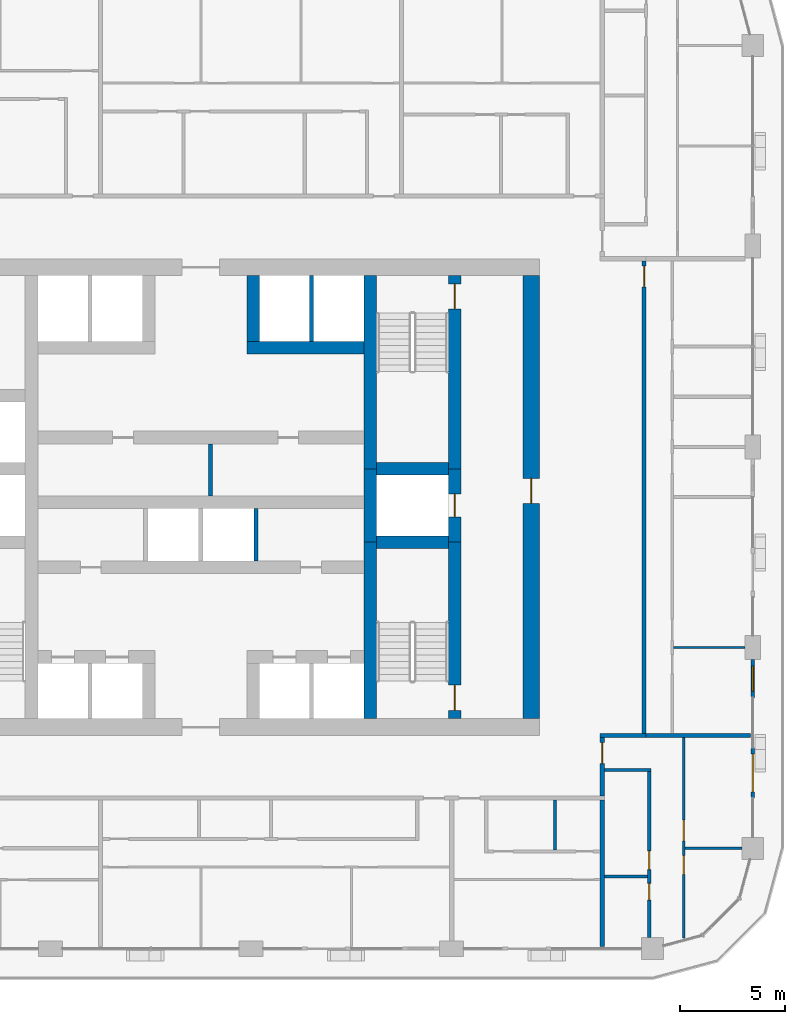
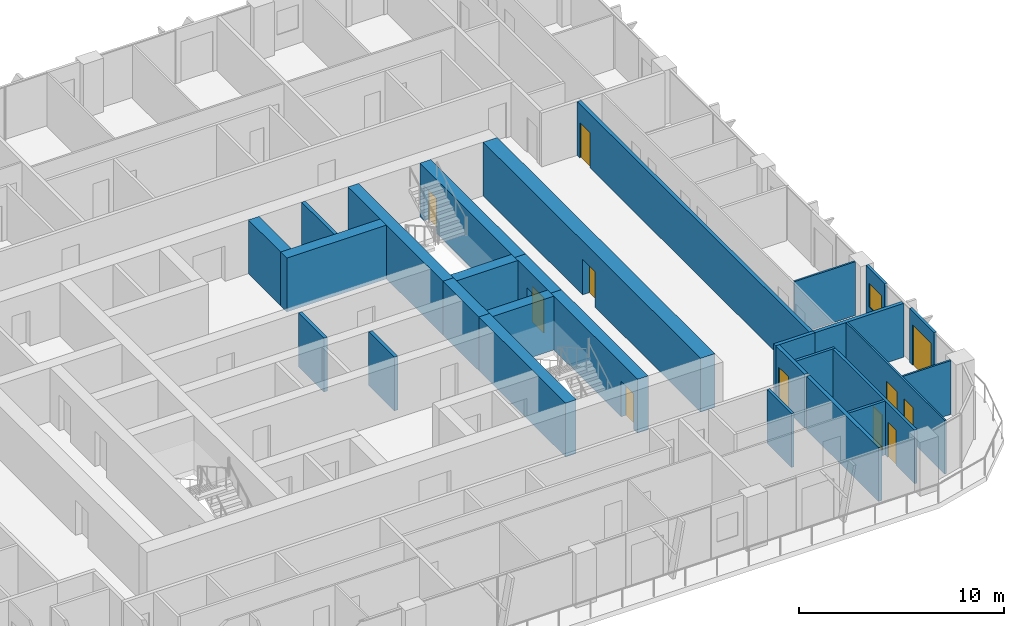
# One storey, part 12 of 22: 28 walls, 11 doors, 1 window, 12 openings.
"""IFC4 building model written with IfcOpenShell, lengths in metres."""

from ifc_helpers import new_model, si_unit, direction, frame, frame_2d, origin, place, context, subcontext, project, spatial, rectangle, extrude, material, layer, layer_set, type_object, element, fill, save


model = new_model("IFC4")

# Units and contexts
model_context = context("Model", 3, precision=1e-05, world=origin(), true_north=direction((0.0, 1.0)))
body_context = subcontext(model_context, "Body", "Model", "MODEL_VIEW")
ifc_project = project(units=[si_unit("LENGTHUNIT", "METRE"), si_unit("AREAUNIT", "SQUARE_METRE"), si_unit("VOLUMEUNIT", "CUBIC_METRE"), si_unit("PLANEANGLEUNIT", "RADIAN"), si_unit("MASSUNIT", "GRAM", prefix="KILO")], contexts=[model_context])

# Site, building, storey
site_placement = place(None, origin())
site = spatial("IfcSite", under=ifc_project, at=site_placement, CompositionType="ELEMENT")
building_placement = place(site_placement, origin())
building = spatial("IfcBuilding", under=site, at=building_placement, Name="Madar Terraces", CompositionType="ELEMENT")
storey_placement = place(building_placement, frame((0.0, 0.0, 119.10009765625)))
storey = spatial("IfcBuildingStorey", under=building, at=storey_placement, Name="L30", CompositionType="ELEMENT", Elevation=119.10009765625)

# Walls
ifc_material_1 = material(Name="Concrete C70/85", Category="concrete")
ifc_layer_1 = layer(ifc_material_1, 0.60009765625)
ifc_layer_set_1 = layer_set([ifc_layer_1], Name="Concrete C70/85 (CIW3 RC wall 600)")
wall_type_1 = type_object("IfcWallType", Name="CIW3 RC wall 600", PredefinedType="SHEAR", material=ifc_layer_set_1)
wall_1_placement = place(storey_placement, frame((39.300048828125, 15.800048828125, 0.0), z_axis=(0.0, 0.0, 1.0), x_axis=(0.0, 1.0, 0.0)))
element("IfcWall", 1, at=wall_1_placement, inside=storey, type_object=wall_type_1, Name="CORE SHAFT WALL", PredefinedType="SHEAR", context=body_context, shape_type="SweptSolid", body=[
    extrude(rectangle(XDim=8.449951171875, YDim=0.60009765625, at=frame_2d((4.22509765625, 0.0))), origin(), (0.0, 0.0, 1.0), 3.199951171875),
])
wall_2_placement = place(storey_placement, frame((39.300048828125, 24.25, 0.0), z_axis=(0.0, 0.0, 1.0), x_axis=(0.0, 1.0, 0.0)))
element("IfcWall", 2, at=wall_2_placement, inside=storey, type_object=wall_type_1, Name="CORE SHAFT WALL", PredefinedType="SHEAR", context=body_context, shape_type="SweptSolid", body=[
    extrude(rectangle(XDim=3.5, YDim=0.60009765625, at=frame_2d((1.75, 0.0))), origin(), (0.0, 0.0, 1.0), 3.199951171875),
])
wall_3_placement = place(storey_placement, frame((39.300048828125, 27.75, 0.0), z_axis=(0.0, 0.0, 1.0), x_axis=(0.0, 1.0, 0.0)))
element("IfcWall", 3, at=wall_3_placement, inside=storey, type_object=wall_type_1, Name="CORE SHAFT WALL", PredefinedType="SHEAR", context=body_context, shape_type="SweptSolid", body=[
    extrude(rectangle(XDim=9.25, YDim=0.60009765625, at=frame_2d((4.625, 0.0))), origin(), (0.0, 0.0, 1.0), 3.199951171875),
])

# Wall, opening, door
wall_4_placement = place(storey_placement, frame((43.35009765625, 15.800048828125, 0.0), z_axis=(0.0, 0.0, 1.0), x_axis=(0.0, 1.0, 0.0)))
wall_4 = element("IfcWall", 4, at=wall_4_placement, inside=storey, type_object=wall_type_1, Name="CORE SHAFT WALL", PredefinedType="SHEAR", context=body_context, shape_type="SweptSolid", body=[
    extrude(rectangle(XDim=8.449951171875, YDim=0.60009765625, at=frame_2d((4.22509765625, 0.0))), origin(), (0.0, 0.0, 1.0), 3.199951171875),
])
opening_1_placement = place(wall_4_placement, frame((0.39990234375, 0.0, 0.0)))
opening_1 = element("IfcOpeningElement", 5, at=opening_1_placement, cuts=wall_4, Name="Opening SD1", PredefinedType="OPENING", context=body_context, shape_type="SweptSolid", body=[
    extrude(rectangle(XDim=1.199951171875, YDim=2.10009765625, at=frame_2d((0.60009765625, 1.050048828125))), frame((0.0, 0.31005859375, 0.0), z_axis=(0.0, -1.0, 0.0), x_axis=(1.0, 0.0, 0.0)), (0.0, 0.0, 1.0), 0.6201171875),
])
ifc_material_2 = material(Name="Steel door leaf", Category="steel")
door_type_1 = type_object("IfcDoorType", Name="Stair door 1200 x 2100", OperationType="NOTDEFINED", PredefinedType="DOOR", material=ifc_material_2)
door_1_placement = place(opening_1_placement, origin())
door_1 = element("IfcDoor", 6, at=door_1_placement, inside=storey, type_object=door_type_1, Name="STAIR DOOR", OperationType="SINGLE_SWING_LEFT", OverallHeight=2.10009765625, OverallWidth=1.199951171875, PredefinedType="DOOR", context=body_context, shape_type="SweptSolid", body=[
    extrude(rectangle(XDim=1.199951171875, YDim=2.10009765625, at=frame_2d((0.60009765625, 1.050048828125))), frame((0.0, 0.02490234375, 0.0), z_axis=(0.0, -1.0, 0.0), x_axis=(1.0, 0.0, 0.0)), (0.0, 0.0, 1.0), 0.050048828125),
])
fill(opening_1, door_1)

wall_5_placement = place(storey_placement, frame((43.35009765625, 24.25, 0.0), z_axis=(0.0, 0.0, 1.0), x_axis=(0.0, 1.0, 0.0)))
wall_5 = element("IfcWall", 7, at=wall_5_placement, inside=storey, type_object=wall_type_1, Name="CORE SHAFT WALL", PredefinedType="SHEAR", context=body_context, shape_type="SweptSolid", body=[
    extrude(rectangle(XDim=3.5, YDim=0.60009765625, at=frame_2d((1.75, 0.0))), origin(), (0.0, 0.0, 1.0), 3.199951171875),
])
opening_2_placement = place(wall_5_placement, frame((1.199951171875, 0.0, 0.0)))
opening_2 = element("IfcOpeningElement", 8, at=opening_2_placement, cuts=wall_5, Name="Opening LD", PredefinedType="OPENING", context=body_context, shape_type="SweptSolid", body=[
    extrude(rectangle(XDim=1.10009765625, YDim=2.10009765625, at=frame_2d((0.550048828125, 1.050048828125))), frame((0.0, 0.31005859375, 0.0), z_axis=(0.0, -1.0, 0.0), x_axis=(1.0, 0.0, 0.0)), (0.0, 0.0, 1.0), 0.6201171875),
])
ifc_material_3 = material(Name="Stainless steel panel", Category="steel")
door_type_2 = type_object("IfcDoorType", Name="Lift landing door 1100 x 2100", OperationType="DOUBLE_DOOR_SLIDING", PredefinedType="DOOR", material=ifc_material_3)
door_2_placement = place(opening_2_placement, origin())
door_2 = element("IfcDoor", 9, at=door_2_placement, inside=storey, type_object=door_type_2, Name="LIFT LANDING DOOR", OperationType="DOUBLE_DOOR_SLIDING", OverallHeight=2.10009765625, OverallWidth=1.10009765625, PredefinedType="DOOR", context=body_context, shape_type="SweptSolid", body=[
    extrude(rectangle(XDim=1.10009765625, YDim=2.10009765625, at=frame_2d((0.550048828125, 1.050048828125))), frame((0.0, 0.02490234375, 0.0), z_axis=(0.0, -1.0, 0.0), x_axis=(1.0, 0.0, 0.0)), (0.0, 0.0, 1.0), 0.050048828125),
])
fill(opening_2, door_2)

wall_6_placement = place(storey_placement, frame((43.35009765625, 27.75, 0.0), z_axis=(0.0, 0.0, 1.0), x_axis=(0.0, 1.0, 0.0)))
wall_6 = element("IfcWall", 10, at=wall_6_placement, inside=storey, type_object=wall_type_1, Name="CORE SHAFT WALL", PredefinedType="SHEAR", context=body_context, shape_type="SweptSolid", body=[
    extrude(rectangle(XDim=9.25, YDim=0.60009765625, at=frame_2d((4.625, 0.0))), origin(), (0.0, 0.0, 1.0), 3.199951171875),
])
opening_3_placement = place(wall_6_placement, frame((7.64990234375, 0.0, 0.0)))
opening_3 = element("IfcOpeningElement", 11, at=opening_3_placement, cuts=wall_6, Name="Opening SD1", PredefinedType="OPENING", context=body_context, shape_type="SweptSolid", body=[
    extrude(rectangle(XDim=1.199951171875, YDim=2.10009765625, at=frame_2d((0.60009765625, 1.050048828125))), frame((0.0, 0.31005859375, 0.0), z_axis=(0.0, -1.0, 0.0), x_axis=(1.0, 0.0, 0.0)), (0.0, 0.0, 1.0), 0.6201171875),
])
door_3_placement = place(opening_3_placement, origin())
door_3 = element("IfcDoor", 12, at=door_3_placement, inside=storey, type_object=door_type_1, Name="STAIR DOOR", OperationType="SINGLE_SWING_RIGHT", OverallHeight=2.10009765625, OverallWidth=1.199951171875, PredefinedType="DOOR", context=body_context, shape_type="SweptSolid", body=[
    extrude(rectangle(XDim=1.199951171875, YDim=2.10009765625, at=frame_2d((0.60009765625, 1.050048828125))), frame((0.0, 0.02490234375, 0.0), z_axis=(0.0, -1.0, 0.0), x_axis=(1.0, 0.0, 0.0)), (0.0, 0.0, 1.0), 0.050048828125),
])
fill(opening_3, door_3)

# Walls
for number, where, z_axis, x_axis, name in (
    (13, (39.60009765625, 24.25, 0.0), (0.0, 0.0, 1.0), (1.0, 0.0, 0.0), "CORE SHAFT WALL"),
    (14, (39.60009765625, 27.75, 0.0), (0.0, 0.0, 1.0), (1.0, 0.0, 0.0), "CORE SHAFT WALL"),
):
    element("IfcWall", number, at=place(storey_placement, frame(where, z_axis=z_axis, x_axis=x_axis)), inside=storey, type_object=wall_type_1, Name=name, PredefinedType="SHEAR", context=body_context, shape_type="SweptSolid", body=[
        extrude(rectangle(XDim=3.449951171875, YDim=0.60009765625, at=frame_2d((1.72509765625, 0.0))), origin(), (0.0, 0.0, 1.0), 3.199951171875),
    ])
wall_7_placement = place(storey_placement, frame((33.39990234375, 33.550048828125, 0.0), z_axis=(0.0, 0.0, 1.0), x_axis=(1.0, 0.0, 0.0)))
element("IfcWall", 15, at=wall_7_placement, inside=storey, type_object=wall_type_1, Name="CORE SHAFT WALL", PredefinedType="SHEAR", context=body_context, shape_type="SweptSolid", body=[
    extrude(rectangle(XDim=5.60009765625, YDim=0.60009765625, at=frame_2d((2.800048828125, 0.0))), origin(), (0.0, 0.0, 1.0), 3.199951171875),
])
wall_8_placement = place(storey_placement, frame((33.699951171875, 33.85009765625, 0.0), z_axis=(0.0, 0.0, 1.0), x_axis=(0.0, 1.0, 0.0)))
element("IfcWall", 16, at=wall_8_placement, inside=storey, type_object=wall_type_1, Name="CORE SHAFT WALL", PredefinedType="SHEAR", context=body_context, shape_type="SweptSolid", body=[
    extrude(rectangle(XDim=3.14990234375, YDim=0.60009765625, at=frame_2d((1.574951171875, 0.0))), origin(), (0.0, 0.0, 1.0), 3.199951171875),
])

# Wall, opening, door
ifc_material_4 = material(Name="Concrete C70/85", Category="concrete")
ifc_layer_2 = layer(ifc_material_4, 0.800048828125)
ifc_layer_set_2 = layer_set([ifc_layer_2], Name="Concrete C70/85 (CRW3 RC wall 800)")
wall_type_2 = type_object("IfcWallType", Name="CRW3 RC wall 800", PredefinedType="SHEAR", material=ifc_layer_set_2)
wall_9_placement = place(storey_placement, frame((47.0, 15.800048828125, 0.0), z_axis=(0.0, 0.0, 1.0), x_axis=(0.0, 1.0, 0.0)))
wall_9 = element("IfcWall", 17, at=wall_9_placement, inside=storey, type_object=wall_type_2, Name="CORE OUTER WALL", PredefinedType="SHEAR", context=body_context, shape_type="SweptSolid", body=[
    extrude(rectangle(XDim=21.199951171875, YDim=0.800048828125, at=frame_2d((10.60009765625, 0.0))), origin(), (0.0, 0.0, 1.0), 3.199951171875),
])
opening_4_placement = place(wall_9_placement, frame((10.300048828125, 0.0, 0.0)))
opening_4 = element("IfcOpeningElement", 18, at=opening_4_placement, cuts=wall_9, Name="Opening SD1", PredefinedType="OPENING", context=body_context, shape_type="SweptSolid", body=[
    extrude(rectangle(XDim=1.199951171875, YDim=2.10009765625, at=frame_2d((0.60009765625, 1.050048828125))), frame((0.0, 0.409912109375, 0.0), z_axis=(0.0, -1.0, 0.0), x_axis=(1.0, 0.0, 0.0)), (0.0, 0.0, 1.0), 0.820068359375),
])
door_4_placement = place(opening_4_placement, origin())
door_4 = element("IfcDoor", 19, at=door_4_placement, inside=storey, type_object=door_type_1, Name="STAIR DOOR", OperationType="SINGLE_SWING_RIGHT", OverallHeight=2.10009765625, OverallWidth=1.199951171875, PredefinedType="DOOR", context=body_context, shape_type="SweptSolid", body=[
    extrude(rectangle(XDim=1.199951171875, YDim=2.10009765625, at=frame_2d((0.60009765625, 1.050048828125))), frame((0.0, 0.02490234375, 0.0), z_axis=(0.0, -1.0, 0.0), x_axis=(1.0, 0.0, 0.0)), (0.0, 0.0, 1.0), 0.050048828125),
])
fill(opening_4, door_4)

# Walls
ifc_material_5 = material(Name="Masonry blockwork", Category="masonry")
ifc_layer_3 = layer(ifc_material_5, 0.199951171875)
ifc_layer_set_3 = layer_set([ifc_layer_3], Name="Core partition 200 blockwork")
wall_type_3 = type_object("IfcWallType", Name="Core partition 200 blockwork", PredefinedType="PARTITIONING", material=ifc_layer_set_3)
wall_10_placement = place(storey_placement, frame((31.66796875, 26.449951171875, 0.0), z_axis=(0.0, 0.0, 1.0), x_axis=(0.0, 1.0, 0.0)))
element("IfcWall", 20, at=wall_10_placement, inside=storey, type_object=wall_type_3, Name="SERVICE ROOM PARTITION", PredefinedType="PARTITIONING", context=body_context, shape_type="SweptSolid", body=[
    extrude(rectangle(XDim=2.5, YDim=0.199951171875, at=frame_2d((1.25, 0.0))), origin(), (0.0, 0.0, 1.0), 3.199951171875),
])
ifc_material_6 = material(Name="Concrete C40/50", Category="concrete")
ifc_layer_4 = layer(ifc_material_6, 0.199951171875)
ifc_layer_set_4 = layer_set([ifc_layer_4], Name="Core shaft dividing wall 200 C40/50")
wall_type_4 = type_object("IfcWallType", Name="Core shaft dividing wall 200 C40/50", PredefinedType="SOLIDWALL", material=ifc_layer_set_4)
wall_11_placement = place(storey_placement, frame((33.833251953125, 23.35009765625, 0.0), z_axis=(0.0, 0.0, 1.0), x_axis=(0.0, 1.0, 0.0)))
element("IfcWall", 21, at=wall_11_placement, inside=storey, type_object=wall_type_4, Name="SHAFT DIVIDING WALL", PredefinedType="SOLIDWALL", context=body_context, shape_type="SweptSolid", body=[
    extrude(rectangle(XDim=2.5, YDim=0.199951171875, at=frame_2d((1.25, 0.0))), origin(), (0.0, 0.0, 1.0), 3.199951171875),
])
wall_12_placement = place(storey_placement, frame((36.5, 33.85009765625, 0.0), z_axis=(0.0, 0.0, 1.0), x_axis=(0.0, 1.0, 0.0)))
element("IfcWall", 22, at=wall_12_placement, inside=storey, type_object=wall_type_4, Name="SHAFT DIVIDING WALL", PredefinedType="SOLIDWALL", context=body_context, shape_type="SweptSolid", body=[
    extrude(rectangle(XDim=3.14990234375, YDim=0.199951171875, at=frame_2d((1.574951171875, 0.0))), origin(), (0.0, 0.0, 1.0), 3.199951171875),
])

# Wall, opening, door
ifc_material_7 = material(Name="Aluminium composite panel, black, over insulated backing", Category="aluminium")
ifc_layer_5 = layer(ifc_material_7, 0.14990234375)
ifc_layer_set_5 = layer_set([ifc_layer_5], Name="Facade bay panel 150")
wall_type_5 = type_object("IfcWallType", Name="Facade bay panel 150", PredefinedType="SOLIDWALL", material=ifc_layer_set_5)
wall_13_placement = place(storey_placement, frame((57.60009765625, 12.0, 0.0), z_axis=(0.0, 0.0, 1.0), x_axis=(0.0, 1.0, 0.0)))
wall_13 = element("IfcWall", 23, at=wall_13_placement, inside=storey, type_object=wall_type_5, Name="Facade bay panel", PredefinedType="SOLIDWALL", context=body_context, shape_type="SweptSolid", body=[
    extrude(rectangle(XDim=2.39990234375, YDim=0.14990234375, at=frame_2d((1.199951171875, 0.0))), origin(), (0.0, 0.0, 1.0), 3.199951171875),
])
opening_5_placement = place(wall_13_placement, frame((0.300048828125, 0.0, 0.0)))
opening_5 = element("IfcOpeningElement", 24, at=opening_5_placement, cuts=wall_13, Name="Opening ED1", PredefinedType="OPENING", context=body_context, shape_type="SweptSolid", body=[
    extrude(rectangle(XDim=1.800048828125, YDim=2.39990234375, at=frame_2d((0.89990234375, 1.199951171875))), frame((0.0, 0.0849609375, 0.0), z_axis=(0.0, -1.0, 0.0), x_axis=(1.0, 0.0, 0.0)), (0.0, 0.0, 1.0), 0.169921875),
])
ifc_material_8 = material(Name="Glass, clear, with black aluminium frame", Category="aluminium")
door_type_3 = type_object("IfcDoorType", Name="Balcony and terrace sliding door 1800 x 2400", OperationType="SLIDING_TO_LEFT", PredefinedType="DOOR", material=ifc_material_8)
door_5_placement = place(opening_5_placement, origin())
door_5 = element("IfcDoor", 25, at=door_5_placement, inside=storey, type_object=door_type_3, Name="Balcony door", OperationType="SLIDING_TO_LEFT", OverallHeight=2.39990234375, OverallWidth=1.800048828125, PredefinedType="DOOR", context=body_context, shape_type="SweptSolid", body=[
    extrude(rectangle(XDim=1.800048828125, YDim=2.39990234375, at=frame_2d((0.89990234375, 1.199951171875))), frame((0.0, 0.02490234375, 0.0), z_axis=(0.0, -1.0, 0.0), x_axis=(1.0, 0.0, 0.0)), (0.0, 0.0, 1.0), 0.050048828125),
])
fill(opening_5, door_5)

# Wall, opening, window
wall_14_placement = place(storey_placement, frame((57.60009765625, 16.800048828125, 0.0), z_axis=(0.0, 0.0, 1.0), x_axis=(0.0, 1.0, 0.0)))
wall_14 = element("IfcWall", 26, at=wall_14_placement, inside=storey, type_object=wall_type_5, Name="Facade bay panel", PredefinedType="SOLIDWALL", context=body_context, shape_type="SweptSolid", body=[
    extrude(rectangle(XDim=1.824951171875, YDim=0.14990234375, at=frame_2d((0.91259765625, 0.0))), origin(), (0.0, 0.0, 1.0), 3.199951171875),
])
opening_6_placement = place(wall_14_placement, frame((0.3125, 0.0, 0.89990234375)))
opening_6 = element("IfcOpeningElement", 27, at=opening_6_placement, cuts=wall_14, Name="Opening W1", PredefinedType="OPENING", context=body_context, shape_type="SweptSolid", body=[
    extrude(rectangle(XDim=1.199951171875, YDim=1.39990234375, at=frame_2d((0.60009765625, 0.699951171875))), frame((0.0, 0.0849609375, 0.0), z_axis=(0.0, -1.0, 0.0), x_axis=(1.0, 0.0, 0.0)), (0.0, 0.0, 1.0), 0.169921875),
])
ifc_material_9 = material(Name="Glass, clear, with black aluminium frame", Category="aluminium")
window_type = type_object("IfcWindowType", Name="Vent window 1200 x 1400", PartitioningType="SINGLE_PANEL", PredefinedType="WINDOW", material=ifc_material_9)
window_placement = place(opening_6_placement, origin())
window = element("IfcWindow", 28, at=window_placement, inside=storey, type_object=window_type, Name="Operable vent window", OverallHeight=1.39990234375, OverallWidth=1.199951171875, PartitioningType="SINGLE_PANEL", PredefinedType="WINDOW", context=body_context, shape_type="SweptSolid", body=[
    extrude(rectangle(XDim=1.199951171875, YDim=1.39990234375, at=frame_2d((0.60009765625, 0.699951171875))), frame((0.0, 0.030029296875, 0.0), z_axis=(0.0, -1.0, 0.0), x_axis=(1.0, 0.0, 0.0)), (0.0, 0.0, 1.0), 0.06005859375),
])
fill(opening_6, window)

# Wall
ifc_material_10 = material(Name="Gypsum board on steel studs", Category="steel")
ifc_layer_6 = layer(ifc_material_10, 0.10009765625)
ifc_layer_set_6 = layer_set([ifc_layer_6], Name="Flat partition 100")
wall_type_6 = type_object("IfcWallType", Name="Flat partition 100", PredefinedType="PARTITIONING", material=ifc_layer_set_6)
wall_15_placement = place(storey_placement, frame((54.35009765625, 9.60009765625, 0.0), z_axis=(0.0, 0.0, 1.0), x_axis=(1.0, 0.0, 0.0)))
element("IfcWall", 29, at=wall_15_placement, inside=storey, type_object=wall_type_6, Name="Flat partition 100", PredefinedType="PARTITIONING", context=body_context, shape_type="SweptSolid", body=[
    extrude(rectangle(XDim=2.724853515625, YDim=0.10009765625, at=frame_2d((1.3623046875, 0.0))), origin(), (0.0, 0.0, 1.0), 3.199951171875),
])

# Wall, openings, doors
wall_16_placement = place(storey_placement, frame((54.300048828125, 14.89990234375, 0.0), z_axis=(0.0, 0.0, 1.0), x_axis=(0.0, -1.0, 0.0)))
wall_16 = element("IfcWall", 30, at=wall_16_placement, inside=storey, type_object=wall_type_6, Name="Flat partition 100", PredefinedType="PARTITIONING", context=body_context, shape_type="SweptSolid", body=[
    extrude(rectangle(XDim=9.597900390625, YDim=0.10009765625, at=frame_2d((4.798828125, 0.0))), origin(), (0.0, 0.0, 1.0), 3.199951171875),
])
opening_7_placement = place(wall_16_placement, frame((3.949951171875, 0.0, 0.0)))
opening_7 = element("IfcOpeningElement", 31, at=opening_7_placement, cuts=wall_16, Name="Opening D3", PredefinedType="OPENING", context=body_context, shape_type="SweptSolid", body=[
    extrude(rectangle(XDim=1.0, YDim=2.10009765625, at=frame_2d((0.5, 1.050048828125))), frame((0.0, 0.06005859375, 0.0), z_axis=(0.0, -1.0, 0.0), x_axis=(1.0, 0.0, 0.0)), (0.0, 0.0, 1.0), 0.1201171875),
])
opening_8_placement = place(wall_16_placement, frame((5.64990234375, 0.0, 0.0)))
opening_8 = element("IfcOpeningElement", 32, at=opening_8_placement, cuts=wall_16, Name="Opening D2", PredefinedType="OPENING", context=body_context, shape_type="SweptSolid", body=[
    extrude(rectangle(XDim=0.89990234375, YDim=2.10009765625, at=frame_2d((0.449951171875, 1.050048828125))), frame((0.0, 0.06005859375, 0.0), z_axis=(0.0, -1.0, 0.0), x_axis=(1.0, 0.0, 0.0)), (0.0, 0.0, 1.0), 0.1201171875),
])
ifc_material_11 = material(Name="Timber door leaf", Category="wood")
door_type_4 = type_object("IfcDoorType", Name="Flat living room door 1000", OperationType="NOTDEFINED", PredefinedType="DOOR", material=ifc_material_11)
door_6_placement = place(opening_7_placement, origin())
door_6 = element("IfcDoor", 33, at=door_6_placement, inside=storey, type_object=door_type_4, Name="Flat living room door 1000", OperationType="SINGLE_SWING_RIGHT", OverallHeight=2.10009765625, OverallWidth=1.0, PredefinedType="DOOR", context=body_context, shape_type="SweptSolid", body=[
    extrude(rectangle(XDim=1.0, YDim=2.10009765625, at=frame_2d((0.5, 1.050048828125))), frame((0.0, 0.02490234375, 0.0), z_axis=(0.0, -1.0, 0.0), x_axis=(1.0, 0.0, 0.0)), (0.0, 0.0, 1.0), 0.050048828125),
])
fill(opening_7, door_6)
ifc_material_12 = material(Name="Timber door leaf", Category="wood")
door_type_5 = type_object("IfcDoorType", Name="Flat room door 900", OperationType="NOTDEFINED", PredefinedType="DOOR", material=ifc_material_12)
door_7_placement = place(opening_8_placement, origin())
door_7 = element("IfcDoor", 34, at=door_7_placement, inside=storey, type_object=door_type_5, Name="Flat room door 900", OperationType="SINGLE_SWING_LEFT", OverallHeight=2.10009765625, OverallWidth=0.89990234375, PredefinedType="DOOR", context=body_context, shape_type="SweptSolid", body=[
    extrude(rectangle(XDim=0.89990234375, YDim=2.10009765625, at=frame_2d((0.449951171875, 1.050048828125))), frame((0.0, 0.02490234375, 0.0), z_axis=(0.0, -1.0, 0.0), x_axis=(1.0, 0.0, 0.0)), (0.0, 0.0, 1.0), 0.050048828125),
])
fill(opening_8, door_7)

# Wall
wall_17_placement = place(storey_placement, frame((53.800048828125, 19.199951171875, 0.0), z_axis=(0.0, 0.0, 1.0), x_axis=(1.0, 0.0, 0.0)))
element("IfcWall", 35, at=wall_17_placement, inside=storey, type_object=wall_type_6, Name="Flat partition 100", PredefinedType="PARTITIONING", context=body_context, shape_type="SweptSolid", body=[
    extrude(rectangle(XDim=3.425048828125, YDim=0.10009765625, at=frame_2d((1.71240234375, 0.0))), origin(), (0.0, 0.0, 1.0), 3.199951171875),
])

# Wall, opening, door
ifc_material_13 = material(Name="Lightweight blockwork", Category="masonry")
ifc_layer_7 = layer(ifc_material_13, 0.199951171875)
ifc_layer_set_7 = layer_set([ifc_layer_7], Name="Flat party and entrance wall 200")
wall_type_7 = type_object("IfcWallType", Name="Flat party and entrance wall 200", PredefinedType="PARTITIONING", material=ifc_layer_set_7)
wall_18_placement = place(storey_placement, frame((50.39990234375, 14.89990234375, 0.0), z_axis=(0.0, 0.0, 1.0), x_axis=(0.0, -1.0, 0.0)))
wall_18 = element("IfcWall", 36, at=wall_18_placement, inside=storey, type_object=wall_type_7, Name="Flat party and entrance wall 200", PredefinedType="PARTITIONING", context=body_context, shape_type="SweptSolid", body=[
    extrude(rectangle(XDim=2.7998046875, YDim=0.199951171875, at=frame_2d((1.39990234375, 0.0))), origin(), (0.0, 0.0, 1.0), 3.199951171875),
])
opening_9_placement = place(wall_18_placement, frame((0.25, 0.0, 0.0)))
opening_9 = element("IfcOpeningElement", 37, at=opening_9_placement, cuts=wall_18, Name="Opening D1", PredefinedType="OPENING", context=body_context, shape_type="SweptSolid", body=[
    extrude(rectangle(XDim=1.0, YDim=2.10009765625, at=frame_2d((0.5, 1.050048828125))), frame((0.0, 0.10986328125, 0.0), z_axis=(0.0, -1.0, 0.0), x_axis=(1.0, 0.0, 0.0)), (0.0, 0.0, 1.0), 0.219970703125),
])
ifc_material_14 = material(Name="Timber fire door leaf", Category="wood")
door_type_6 = type_object("IfcDoorType", Name="Flat entrance door 1000 FD30S", OperationType="NOTDEFINED", PredefinedType="DOOR", material=ifc_material_14)
door_8_placement = place(opening_9_placement, origin())
door_8 = element("IfcDoor", 38, at=door_8_placement, inside=storey, type_object=door_type_6, Name="Flat entrance door 1000 FD30S", OperationType="SINGLE_SWING_LEFT", OverallHeight=2.10009765625, OverallWidth=1.0, PredefinedType="DOOR", context=body_context, shape_type="SweptSolid", body=[
    extrude(rectangle(XDim=1.0, YDim=2.10009765625, at=frame_2d((0.5, 1.050048828125))), frame((0.0, 0.02490234375, 0.0), z_axis=(0.0, -1.0, 0.0), x_axis=(1.0, 0.0, 0.0)), (0.0, 0.0, 1.0), 0.050048828125),
])
fill(opening_9, door_8)

# Wall
wall_19_placement = place(storey_placement, frame((50.300048828125, 15.0, 0.0), z_axis=(0.0, 0.0, 1.0), x_axis=(1.0, 0.0, 0.0)))
element("IfcWall", 39, at=wall_19_placement, inside=storey, type_object=wall_type_7, Name="Flat party and entrance wall 200", PredefinedType="PARTITIONING", context=body_context, shape_type="SweptSolid", body=[
    extrude(rectangle(XDim=2.199951171875, YDim=0.199951171875, at=frame_2d((1.10009765625, 0.0))), origin(), (0.0, 0.0, 1.0), 3.199951171875),
])

# Wall, opening, door
wall_20_placement = place(storey_placement, frame((52.39990234375, 37.699951171875, 0.0), z_axis=(0.0, 0.0, 1.0), x_axis=(0.0, -1.0, 0.0)))
wall_20 = element("IfcWall", 40, at=wall_20_placement, inside=storey, type_object=wall_type_7, Name="Flat party and entrance wall 200", PredefinedType="PARTITIONING", context=body_context, shape_type="SweptSolid", body=[
    extrude(rectangle(XDim=22.599853515625, YDim=0.199951171875, at=frame_2d((11.2998046875, 0.0))), origin(), (0.0, 0.0, 1.0), 3.199951171875),
])
opening_10_placement = place(wall_20_placement, frame((0.25, 0.0, 0.0)))
opening_10 = element("IfcOpeningElement", 41, at=opening_10_placement, cuts=wall_20, Name="Opening D1", PredefinedType="OPENING", context=body_context, shape_type="SweptSolid", body=[
    extrude(rectangle(XDim=1.0, YDim=2.10009765625, at=frame_2d((0.5, 1.050048828125))), frame((0.0, 0.10986328125, 0.0), z_axis=(0.0, -1.0, 0.0), x_axis=(1.0, 0.0, 0.0)), (0.0, 0.0, 1.0), 0.219970703125),
])
door_9_placement = place(opening_10_placement, origin())
door_9 = element("IfcDoor", 42, at=door_9_placement, inside=storey, type_object=door_type_6, Name="Flat entrance door 1000 FD30S", OperationType="SINGLE_SWING_LEFT", OverallHeight=2.10009765625, OverallWidth=1.0, PredefinedType="DOOR", context=body_context, shape_type="SweptSolid", body=[
    extrude(rectangle(XDim=1.0, YDim=2.10009765625, at=frame_2d((0.5, 1.050048828125))), frame((0.0, 0.02490234375, 0.0), z_axis=(0.0, -1.0, 0.0), x_axis=(1.0, 0.0, 0.0)), (0.0, 0.0, 1.0), 0.050048828125),
])
fill(opening_10, door_9)

# Walls
wall_21_placement = place(storey_placement, frame((50.39990234375, 11.89990234375, 0.0), z_axis=(0.0, 0.0, 1.0), x_axis=(0.0, -1.0, 0.0)))
element("IfcWall", 43, at=wall_21_placement, inside=storey, type_object=wall_type_7, Name="Flat party and entrance wall 200", PredefinedType="PARTITIONING", context=body_context, shape_type="SweptSolid", body=[
    extrude(rectangle(XDim=7.0, YDim=0.199951171875, at=frame_2d((3.5, 0.0))), origin(), (0.0, 0.0, 1.0), 3.199951171875),
])
wall_22_placement = place(storey_placement, frame((52.5, 15.0, 0.0), z_axis=(0.0, 0.0, 1.0), x_axis=(1.0, 0.0, 0.0)))
element("IfcWall", 44, at=wall_22_placement, inside=storey, type_object=wall_type_7, Name="Flat party and entrance wall 200", PredefinedType="PARTITIONING", context=body_context, shape_type="SweptSolid", body=[
    extrude(rectangle(XDim=5.0, YDim=0.199951171875, at=frame_2d((2.5, 0.0))), origin(), (0.0, 0.0, 1.0), 3.199951171875),
])
ifc_material_15 = material(Name="Lightweight blockwork", Category="masonry")
ifc_layer_8 = layer(ifc_material_15, 0.14990234375)
ifc_layer_set_8 = layer_set([ifc_layer_8], Name="Flat wet-room partition 150")
wall_type_8 = type_object("IfcWallType", Name="Flat wet-room partition 150", PredefinedType="PARTITIONING", material=ifc_layer_set_8)
wall_23_placement = place(storey_placement, frame((48.14990234375, 11.89990234375, 0.0), z_axis=(0.0, 0.0, 1.0), x_axis=(0.0, -1.0, 0.0)))
element("IfcWall", 45, at=wall_23_placement, inside=storey, type_object=wall_type_8, Name="Flat wet-room partition 150", PredefinedType="PARTITIONING", context=body_context, shape_type="SweptSolid", body=[
    extrude(rectangle(XDim=2.375, YDim=0.14990234375, at=frame_2d((1.1875, 0.0))), origin(), (0.0, 0.0, 1.0), 3.199951171875),
])
wall_24_placement = place(storey_placement, frame((50.5, 8.25, 0.0), z_axis=(0.0, 0.0, 1.0), x_axis=(1.0, 0.0, 0.0)))
element("IfcWall", 46, at=wall_24_placement, inside=storey, type_object=wall_type_8, Name="Flat wet-room partition 150", PredefinedType="PARTITIONING", context=body_context, shape_type="SweptSolid", body=[
    extrude(rectangle(XDim=2.074951171875, YDim=0.14990234375, at=frame_2d((1.03759765625, 0.0))), origin(), (0.0, 0.0, 1.0), 3.199951171875),
])
wall_25_placement = place(storey_placement, frame((50.5, 13.35009765625, 0.0), z_axis=(0.0, 0.0, 1.0), x_axis=(1.0, 0.0, 0.0)))
element("IfcWall", 47, at=wall_25_placement, inside=storey, type_object=wall_type_8, Name="Flat wet-room partition 150", PredefinedType="PARTITIONING", context=body_context, shape_type="SweptSolid", body=[
    extrude(rectangle(XDim=2.22509765625, YDim=0.14990234375, at=frame_2d((1.112548828125, 0.0))), origin(), (0.0, 0.0, 1.0), 3.199951171875),
])

# Wall, openings, doors
wall_26_placement = place(storey_placement, frame((52.64990234375, 5.324951171875, 0.0), z_axis=(0.0, 0.0, 1.0), x_axis=(0.0, 1.0, 0.0)))
wall_26 = element("IfcWall", 48, at=wall_26_placement, inside=storey, type_object=wall_type_8, Name="Flat wet-room partition 150", PredefinedType="PARTITIONING", context=body_context, shape_type="SweptSolid", body=[
    extrude(rectangle(XDim=7.949951171875, YDim=0.14990234375, at=frame_2d((3.97509765625, 0.0))), origin(), (0.0, 0.0, 1.0), 3.199951171875),
])
opening_11_placement = place(wall_26_placement, frame((3.25, 0.0, 0.0)))
opening_11 = element("IfcOpeningElement", 49, at=opening_11_placement, cuts=wall_26, Name="Opening D2", PredefinedType="OPENING", context=body_context, shape_type="SweptSolid", body=[
    extrude(rectangle(XDim=0.89990234375, YDim=2.10009765625, at=frame_2d((0.449951171875, 1.050048828125))), frame((0.0, 0.0849609375, 0.0), z_axis=(0.0, -1.0, 0.0), x_axis=(1.0, 0.0, 0.0)), (0.0, 0.0, 1.0), 0.169921875),
])
opening_12_placement = place(wall_26_placement, frame((1.800048828125, 0.0, 0.0)))
opening_12 = element("IfcOpeningElement", 50, at=opening_12_placement, cuts=wall_26, Name="Opening D4", PredefinedType="OPENING", context=body_context, shape_type="SweptSolid", body=[
    extrude(rectangle(XDim=0.800048828125, YDim=2.10009765625, at=frame_2d((0.39990234375, 1.050048828125))), frame((0.0, 0.0849609375, 0.0), z_axis=(0.0, -1.0, 0.0), x_axis=(1.0, 0.0, 0.0)), (0.0, 0.0, 1.0), 0.169921875),
])
ifc_material_16 = material(Name="Timber door leaf", Category="wood")
door_type_7 = type_object("IfcDoorType", Name="Flat bathroom door 800", OperationType="NOTDEFINED", PredefinedType="DOOR", material=ifc_material_16)
door_10_placement = place(opening_12_placement, origin())
door_10 = element("IfcDoor", 51, at=door_10_placement, inside=storey, type_object=door_type_7, Name="Flat bathroom door 800", OperationType="SINGLE_SWING_RIGHT", OverallHeight=2.10009765625, OverallWidth=0.800048828125, PredefinedType="DOOR", context=body_context, shape_type="SweptSolid", body=[
    extrude(rectangle(XDim=0.800048828125, YDim=2.10009765625, at=frame_2d((0.39990234375, 1.050048828125))), frame((0.0, 0.02490234375, 0.0), z_axis=(0.0, -1.0, 0.0), x_axis=(1.0, 0.0, 0.0)), (0.0, 0.0, 1.0), 0.050048828125),
])
fill(opening_12, door_10)
door_11_placement = place(opening_11_placement, origin())
door_11 = element("IfcDoor", 52, at=door_11_placement, inside=storey, type_object=door_type_5, Name="Flat room door 900", OperationType="SINGLE_SWING_LEFT", OverallHeight=2.10009765625, OverallWidth=0.89990234375, PredefinedType="DOOR", context=body_context, shape_type="SweptSolid", body=[
    extrude(rectangle(XDim=0.89990234375, YDim=2.10009765625, at=frame_2d((0.449951171875, 1.050048828125))), frame((0.0, 0.02490234375, 0.0), z_axis=(0.0, -1.0, 0.0), x_axis=(1.0, 0.0, 0.0)), (0.0, 0.0, 1.0), 0.050048828125),
])
fill(opening_11, door_11)

save(model, "model.ifc")
